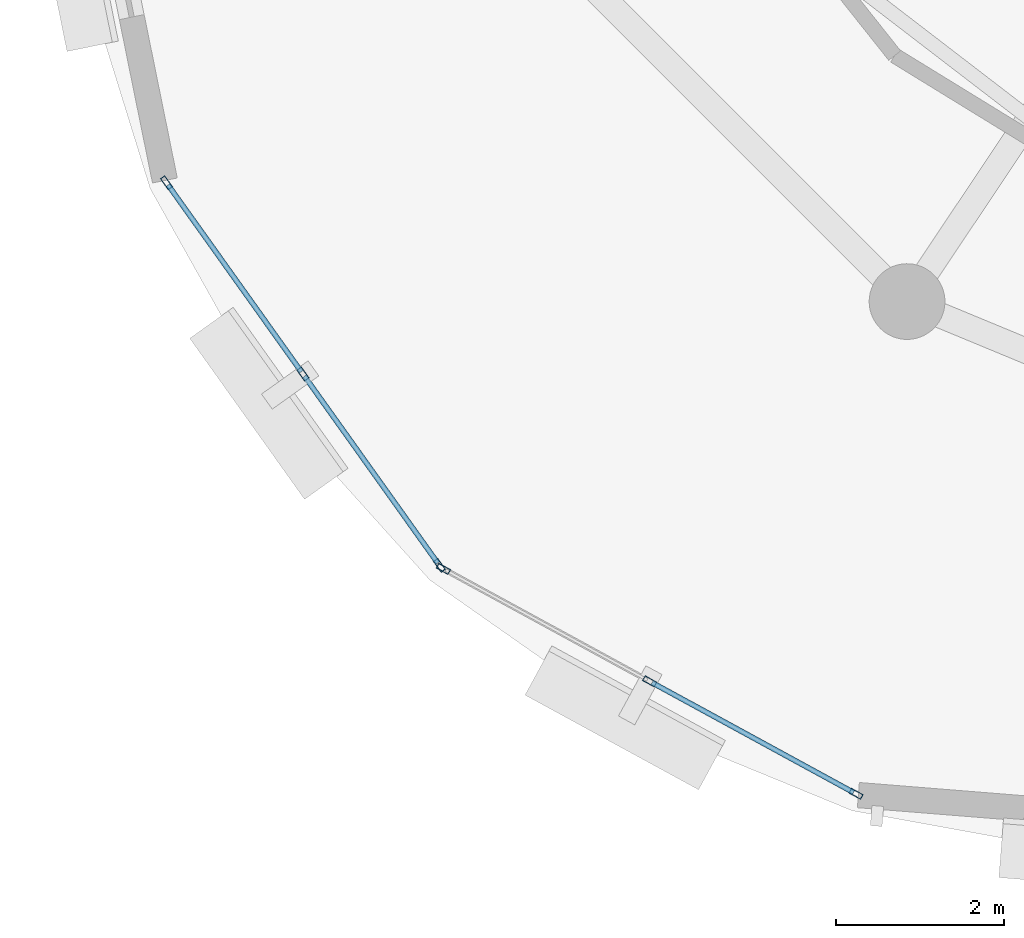
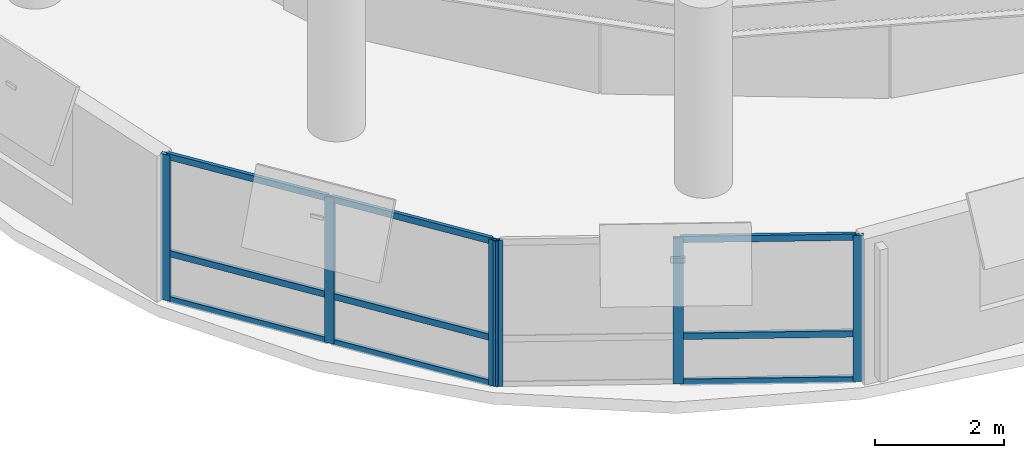
# One storey, part 2 of 11: 15 members, 2 elements without a shape of their own.
"""IFC4 building model written with IfcOpenShell, lengths in metres."""

from ifc_helpers import new_model, si_unit, direction, frame, origin, origin_2d, place, context, subcontext, project, spatial, hollow_rectangle, extrude, material, layer, layer_set, material_profile, profile_set, type_object, element, aggregate, save


model = new_model("IFC4")

# Units and contexts
model_context = context("Model", 3, precision=1e-05, world=origin(), true_north=direction((0.0, 1.0)))
body_context = subcontext(model_context, "Body", "Model", "MODEL_VIEW")
ifc_project = project(units=[si_unit("LENGTHUNIT", "METRE"), si_unit("AREAUNIT", "SQUARE_METRE"), si_unit("VOLUMEUNIT", "CUBIC_METRE"), si_unit("PLANEANGLEUNIT", "RADIAN"), si_unit("MASSUNIT", "GRAM", prefix="KILO"), si_unit("THERMODYNAMICTEMPERATUREUNIT", "KELVIN"), si_unit("POWERUNIT", "WATT")], contexts=[model_context])

# Site, building, storey
site_placement = place(None, origin())
site = spatial("IfcSite", under=ifc_project, at=site_placement, CompositionType="ELEMENT")
building_placement = place(site_placement, origin())
building = spatial("IfcBuilding", under=site, at=building_placement, Name="Ocrelia Relay Tower", CompositionType="ELEMENT")
storey_placement = place(building_placement, frame((0.0, 0.0, 234.0)))
storey = spatial("IfcBuildingStorey", under=building, at=storey_placement, Name="L57", CompositionType="ELEMENT", Elevation=234.0)

# Curtain wall, members
ifc_material_1 = material(Name="Aluminium and solar-control low-E glass", Category="aluminium")
ifc_layer = layer(ifc_material_1, 0.179931640625, Name="Aluminium and solar-control low-E glass")
ifc_layer_set = layer_set([ifc_layer], Name="Aluminium and solar-control low-E glass")
curtain_wall_type = type_object("IfcCurtainWallType", Name="CW-SYS-Z4-EXEC", PredefinedType="NOTDEFINED", material=ifc_layer_set)
curtain_wall_1_placement = place(storey_placement, origin())
curtain_wall_1 = element("IfcCurtainWall", 1, at=curtain_wall_1_placement, inside=storey, type_object=curtain_wall_type, Name="L57 Elliptical Tower Curtain Wall Bay 09", PredefinedType="NOTDEFINED")
ifc_material_2 = material(Name="Anodised bronze aluminium", Category="aluminium")
ifc_material_profile_1 = material_profile(ifc_material_2, hollow_rectangle(XDim=0.06494140625, YDim=0.159912109375, WallThickness=0.0048828125, at=origin_2d()), Name="CW-MUL-160x65")
ifc_profile_set_1 = profile_set([ifc_material_profile_1], Name="Anodised bronze aluminium")
member_type_1 = type_object("IfcMemberType", Name="CW-SYS-Z4-EXEC-MUL", PredefinedType="MULLION", material=ifc_profile_set_1)
member_1_placement = place(storey_placement, frame((16.80908203125, 14.857666015625, 0.0), z_axis=(0.0, 0.0, 1.0), x_axis=(0.814133878585, 0.580677214758, 0.0)))
member_1 = element("IfcMember", 2, at=member_1_placement, type_object=member_type_1, Name="CW-Z4 mullion 1", PredefinedType="MULLION", context=body_context, shape_type="SweptSolid", body=[
    extrude(hollow_rectangle(XDim=0.06494140625, YDim=0.159912109375, WallThickness=0.0048828125, at=origin_2d()), origin(), (0.0, 0.0, 1.0), 2.760009765625),
])
member_2_placement = place(storey_placement, frame((18.430908203125, 12.584228515625, 0.0), z_axis=(0.0, 0.0, 1.0), x_axis=(0.814133878585, 0.580677214758, 0.0)))
member_2 = element("IfcMember", 3, at=member_2_placement, type_object=member_type_1, Name="CW-Z4 mullion 2", PredefinedType="MULLION", context=body_context, shape_type="SweptSolid", body=[
    extrude(hollow_rectangle(XDim=0.06494140625, YDim=0.159912109375, WallThickness=0.0048828125, at=origin_2d()), origin(), (0.0, 0.0, 1.0), 2.760009765625),
])
member_3_placement = place(storey_placement, frame((20.052490234375, 10.310546875, 0.0), z_axis=(0.0, 0.0, 1.0), x_axis=(0.814133878585, 0.580677214758, 0.0)))
member_3 = element("IfcMember", 4, at=member_3_placement, type_object=member_type_1, Name="CW-Z4 mullion 3", PredefinedType="MULLION", context=body_context, shape_type="SweptSolid", body=[
    extrude(hollow_rectangle(XDim=0.06494140625, YDim=0.159912109375, WallThickness=0.0048828125, at=origin_2d()), origin(), (0.0, 0.0, 1.0), 2.760009765625),
])

curtain_wall_2_placement = place(storey_placement, origin())
curtain_wall_2 = element("IfcCurtainWall", 5, at=curtain_wall_2_placement, inside=storey, type_object=curtain_wall_type, Name="L57 Elliptical Tower Curtain Wall Bay 10", PredefinedType="NOTDEFINED")
member_4_placement = place(storey_placement, frame((20.099853515625, 10.2685546875, 0.0), z_axis=(0.0, 0.0, 1.0), x_axis=(0.478668598842, 0.877995656301, 0.0)))
member_4 = element("IfcMember", 6, at=member_4_placement, type_object=member_type_1, Name="CW-Z4 mullion 1", PredefinedType="MULLION", context=body_context, shape_type="SweptSolid", body=[
    extrude(hollow_rectangle(XDim=0.06494140625, YDim=0.159912109375, WallThickness=0.0048828125, at=origin_2d()), origin(), (0.0, 0.0, 1.0), 2.760009765625),
])
member_5_placement = place(storey_placement, frame((22.5517578125, 8.931884765625, 0.0), z_axis=(0.0, 0.0, 1.0), x_axis=(0.478668598842, 0.877995656301, 0.0)))
member_5 = element("IfcMember", 7, at=member_5_placement, type_object=member_type_1, Name="CW-Z4 mullion 2", PredefinedType="MULLION", context=body_context, shape_type="SweptSolid", body=[
    extrude(hollow_rectangle(XDim=0.06494140625, YDim=0.159912109375, WallThickness=0.0048828125, at=origin_2d()), origin(), (0.0, 0.0, 1.0), 2.760009765625),
])
member_6_placement = place(storey_placement, frame((25.003662109375, 7.594970703125, 0.0), z_axis=(0.0, 0.0, 1.0), x_axis=(0.478668598842, 0.877995656301, 0.0)))
member_6 = element("IfcMember", 8, at=member_6_placement, type_object=member_type_1, Name="CW-Z4 mullion 3", PredefinedType="MULLION", context=body_context, shape_type="SweptSolid", body=[
    extrude(hollow_rectangle(XDim=0.06494140625, YDim=0.159912109375, WallThickness=0.0048828125, at=origin_2d()), origin(), (0.0, 0.0, 1.0), 2.760009765625),
])

# Member
ifc_material_profile_2 = material_profile(ifc_material_2, hollow_rectangle(XDim=0.06005859375, YDim=0.1201171875, WallThickness=0.0048828125, at=origin_2d()), Name="CW-TRN-120x60")
ifc_profile_set_2 = profile_set([ifc_material_profile_2], Name="Anodised bronze aluminium")
member_type_2 = type_object("IfcMemberType", Name="CW-SYS-Z4-EXEC-TRN", PredefinedType="USERDEFINED", material=ifc_profile_set_2)
member_7_placement = place(storey_placement, frame((16.828125, 14.831298828125, 0.030029296875), z_axis=(0.580636881596, -0.814162644519, 0.0), x_axis=(0.814162644519, 0.580636881596, 0.0)))
member_7 = element("IfcMember", 9, at=member_7_placement, type_object=member_type_2, Name="CW-Z4 transom 1.1", ObjectType="TRANSOM", PredefinedType="USERDEFINED", context=body_context, shape_type="SweptSolid", body=[
    extrude(hollow_rectangle(XDim=0.06005859375, YDim=0.1201171875, WallThickness=0.0048828125, at=origin_2d()), origin(), (0.0, 0.0, 1.0), 2.7275390625),
])

member_8_placement = place(storey_placement, frame((16.828125, 14.831298828125, 0.89990234375), z_axis=(0.580636881596, -0.814162644519, 0.0), x_axis=(0.814162644519, 0.580636881596, 0.0)))
member_8 = element("IfcMember", 10, at=member_8_placement, type_object=member_type_2, Name="CW-Z4 transom 1.2", ObjectType="TRANSOM", PredefinedType="USERDEFINED", context=body_context, shape_type="SweptSolid", body=[
    extrude(hollow_rectangle(XDim=0.06005859375, YDim=0.1201171875, WallThickness=0.0048828125, at=origin_2d()), origin(), (0.0, 0.0, 1.0), 2.7275390625),
])

member_9_placement = place(storey_placement, frame((16.828125, 14.831298828125, 2.72998046875), z_axis=(0.580636881596, -0.814162644519, 0.0), x_axis=(0.814162644519, 0.580636881596, 0.0)))
member_9 = element("IfcMember", 11, at=member_9_placement, type_object=member_type_2, Name="CW-Z4 transom 1.3", ObjectType="TRANSOM", PredefinedType="USERDEFINED", context=body_context, shape_type="SweptSolid", body=[
    extrude(hollow_rectangle(XDim=0.06005859375, YDim=0.1201171875, WallThickness=0.0048828125, at=origin_2d()), origin(), (0.0, 0.0, 1.0), 2.7275390625),
])

member_10_placement = place(storey_placement, frame((18.44970703125, 12.5576171875, 0.030029296875), z_axis=(0.580636881596, -0.814162644519, 0.0), x_axis=(0.814162644519, 0.580636881596, 0.0)))
member_10 = element("IfcMember", 12, at=member_10_placement, type_object=member_type_2, Name="CW-Z4 transom 2.1", ObjectType="TRANSOM", PredefinedType="USERDEFINED", context=body_context, shape_type="SweptSolid", body=[
    extrude(hollow_rectangle(XDim=0.06005859375, YDim=0.1201171875, WallThickness=0.0048828125, at=origin_2d()), origin(), (0.0, 0.0, 1.0), 2.7275390625),
])

member_11_placement = place(storey_placement, frame((18.44970703125, 12.5576171875, 0.89990234375), z_axis=(0.580636881596, -0.814162644519, 0.0), x_axis=(0.814162644519, 0.580636881596, 0.0)))
member_11 = element("IfcMember", 13, at=member_11_placement, type_object=member_type_2, Name="CW-Z4 transom 2.2", ObjectType="TRANSOM", PredefinedType="USERDEFINED", context=body_context, shape_type="SweptSolid", body=[
    extrude(hollow_rectangle(XDim=0.06005859375, YDim=0.1201171875, WallThickness=0.0048828125, at=origin_2d()), origin(), (0.0, 0.0, 1.0), 2.7275390625),
])

member_12_placement = place(storey_placement, frame((18.44970703125, 12.5576171875, 2.72998046875), z_axis=(0.580636881596, -0.814162644519, 0.0), x_axis=(0.814162644519, 0.580636881596, 0.0)))
member_12 = element("IfcMember", 14, at=member_12_placement, type_object=member_type_2, Name="CW-Z4 transom 2.3", ObjectType="TRANSOM", PredefinedType="USERDEFINED", context=body_context, shape_type="SweptSolid", body=[
    extrude(hollow_rectangle(XDim=0.06005859375, YDim=0.1201171875, WallThickness=0.0048828125, at=origin_2d()), origin(), (0.0, 0.0, 1.0), 2.7275390625),
])

aggregate(curtain_wall_1, [member_1, member_2, member_3, member_7, member_8, member_9, member_10, member_11, member_12])

member_13_placement = place(storey_placement, frame((22.580322265625, 8.916259765625, 0.030029296875), z_axis=(0.877984495711, -0.478689069534, 0.0), x_axis=(0.478689069534, 0.877984495711, 0.0)))
member_13 = element("IfcMember", 15, at=member_13_placement, type_object=member_type_2, Name="CW-Z4 transom 2.1", ObjectType="TRANSOM", PredefinedType="USERDEFINED", context=body_context, shape_type="SweptSolid", body=[
    extrude(hollow_rectangle(XDim=0.06005859375, YDim=0.1201171875, WallThickness=0.0048828125, at=origin_2d()), origin(), (0.0, 0.0, 1.0), 2.7275390625),
])

member_14_placement = place(storey_placement, frame((22.580322265625, 8.916259765625, 0.89990234375), z_axis=(0.877984495711, -0.478689069534, 0.0), x_axis=(0.478689069534, 0.877984495711, 0.0)))
member_14 = element("IfcMember", 16, at=member_14_placement, type_object=member_type_2, Name="CW-Z4 transom 2.2", ObjectType="TRANSOM", PredefinedType="USERDEFINED", context=body_context, shape_type="SweptSolid", body=[
    extrude(hollow_rectangle(XDim=0.06005859375, YDim=0.1201171875, WallThickness=0.0048828125, at=origin_2d()), origin(), (0.0, 0.0, 1.0), 2.7275390625),
])

member_15_placement = place(storey_placement, frame((22.580322265625, 8.916259765625, 2.72998046875), z_axis=(0.877984495711, -0.478689069534, 0.0), x_axis=(0.478689069534, 0.877984495711, 0.0)))
member_15 = element("IfcMember", 17, at=member_15_placement, type_object=member_type_2, Name="CW-Z4 transom 2.3", ObjectType="TRANSOM", PredefinedType="USERDEFINED", context=body_context, shape_type="SweptSolid", body=[
    extrude(hollow_rectangle(XDim=0.06005859375, YDim=0.1201171875, WallThickness=0.0048828125, at=origin_2d()), origin(), (0.0, 0.0, 1.0), 2.7275390625),
])

aggregate(curtain_wall_2, [member_4, member_5, member_6, member_13, member_14, member_15])

save(model, "model.ifc")
